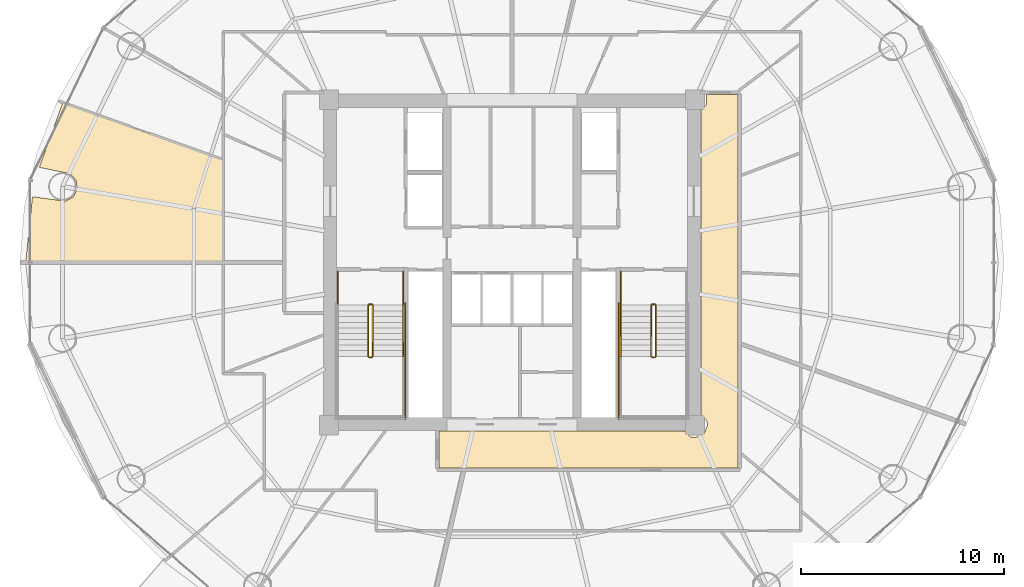
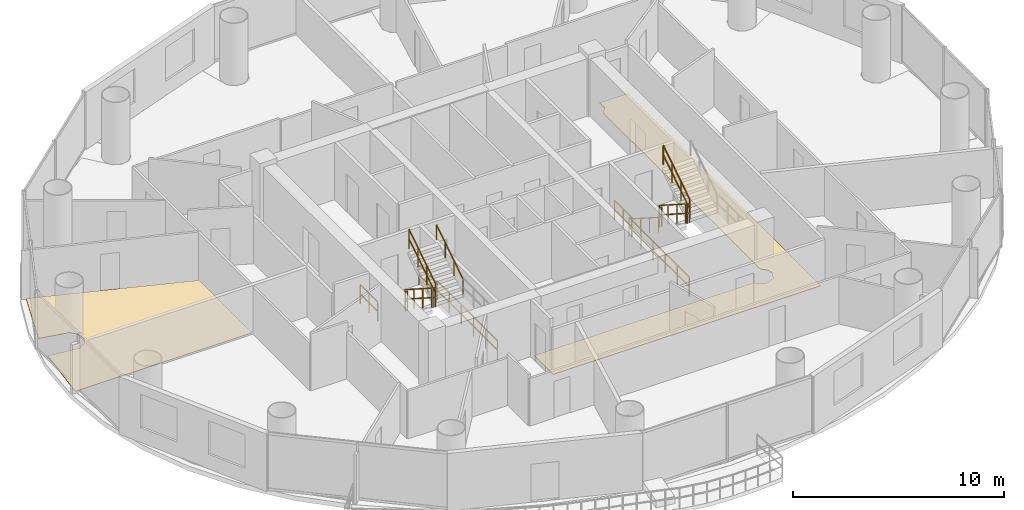
# One storey, part 25 of 26: 15 railings, 2 coverings.
"""IFC4 building model written with IfcOpenShell, lengths in metres."""

from ifc_helpers import new_model, si_unit, direction, frame, origin, origin_2d, place, context, subcontext, project, spatial, polyline, rectangle, outline, extrude, material, layer, layer_set, type_object, element, save


model = new_model("IFC4")

# Units and contexts
model_context = context("Model", 3, precision=1e-05, world=origin(), true_north=direction((-0.2419218956, 0.970295726276)))
body_context = subcontext(model_context, "Body", "Model", "MODEL_VIEW")
ifc_project = project(units=[si_unit("LENGTHUNIT", "METRE"), si_unit("AREAUNIT", "SQUARE_METRE"), si_unit("VOLUMEUNIT", "CUBIC_METRE"), si_unit("PLANEANGLEUNIT", "RADIAN"), si_unit("MASSUNIT", "GRAM", prefix="KILO")], contexts=[model_context])

# Site, building, storey
site_placement = place(None, origin())
site = spatial("IfcSite", under=ifc_project, at=site_placement, CompositionType="ELEMENT")
building_placement = place(site_placement, origin())
building = spatial("IfcBuilding", under=site, at=building_placement, Name="Cobrevalo Terracotta Tower", CompositionType="ELEMENT")
storey_placement = place(building_placement, frame((0.0, 0.0, 178.60009765625)))
storey = spatial("IfcBuildingStorey", under=building, at=storey_placement, Name="L47", CompositionType="ELEMENT", Elevation=178.60009765625)

# Coverings
ifc_material_1 = material(Name="Engineered Brazilian hardwood flooring", Category="wood")
ifc_layer_1 = layer(ifc_material_1, 0.028076171875)
ifc_layer_set_1 = layer_set([ifc_layer_1], Name="Engineered Brazilian hardwood flooring")
covering_type_1 = type_object("IfcCoveringType", Name="Engineered Hardwood Suite Flooring 28", PredefinedType="FLOORING", material=ifc_layer_set_1)
covering_1_placement = place(storey_placement, origin())
element("IfcCovering", 1, at=covering_1_placement, inside=storey, type_object=covering_type_1, Name="Flat L47B Penthouse Family Lounge floor finish", PredefinedType="FLOORING", context=body_context, shape_type="SweptSolid", body=[
    extrude(outline(polyline([(23.77490234375, 31.843017578125), (23.77490234375, 26.820068359375), (14.08154296875, 26.820068359375), (14.41357421875, 30.03369140625), (16.048583984375, 29.814697265625), (16.421630859375, 30.028076171875), (16.613037109375, 30.41259765625), (16.55859375, 30.8388671875), (16.2763671875, 31.1630859375), (14.748291015625, 31.478271484375), (15.898681640625, 34.647216796875), (23.77490234375, 31.843017578125)])), origin(), (0.0, 0.0, 1.0), 0.02978515625),
])
ifc_material_2 = material(Name="Honed terracotta and granite tile", Category="masonry")
ifc_layer_2 = layer(ifc_material_2, 0.034912109375)
ifc_layer_set_2 = layer_set([ifc_layer_2], Name="Honed terracotta and granite tile")
covering_type_2 = type_object("IfcCoveringType", Name="Honed Terracotta & Granite Interior Flooring 35", PredefinedType="FLOORING", material=ifc_layer_set_2)
covering_2_placement = place(storey_placement, origin())
element("IfcCovering", 2, at=covering_2_placement, inside=storey, type_object=covering_type_2, Name="L47 Residential Floor Corridor 1 floor finish", PredefinedType="FLOORING", context=body_context, shape_type="SweptSolid", body=[
    extrude(outline(polyline([(34.419921875, 18.5048828125), (46.46533203125, 18.5048828125), (46.7626953125, 18.226806640625), (47.0, 18.1796875), (47.438720703125, 18.361328125), (47.620361328125, 18.800048828125), (47.5732421875, 19.037353515625), (47.294921875, 19.334716796875), (47.294921875, 34.265380859375), (47.5732421875, 34.5625), (47.5615234375, 35.054931640625), (49.10498046875, 35.054931640625), (49.10498046875, 16.695068359375), (34.419921875, 16.695068359375), (34.419921875, 18.5048828125)])), origin(), (0.0, 0.0, 1.0), 0.02978515625),
])

# Railings
ifc_material_3 = material(Name="Brushed stainless steel", Category="steel")
railing_type_1 = type_object("IfcRailingType", Name="Stainless Steel Stair Handrail 900", PredefinedType="HANDRAIL", material=ifc_material_3)
railing_1_placement = place(storey_placement, frame((32.64501953125, 22.179931640625, 1.97998046875)))
element("IfcRailing", 3, at=railing_1_placement, inside=storey, type_object=railing_type_1, Name="L47 ST-1 stair handrail 2", PredefinedType="HANDRAIL", context=body_context, shape_type="SweptSolid", body=[
    extrude(rectangle(XDim=0.048095703125, YDim=0.048095703125, at=origin_2d()), frame((0.0, 0.0, 0.8759765625), z_axis=(0.0, 0.841199657755, 0.540724639528), x_axis=(-1.0, 0.0, 0.0)), (0.0, 0.0, 1.0), 2.995849609375),
    extrude(rectangle(XDim=0.0419921875, YDim=0.0419921875, at=origin_2d()), origin(), (0.0, 0.0, 1.0), 0.851806640625),
    extrude(rectangle(XDim=0.0419921875, YDim=0.0419921875, at=origin_2d()), frame((0.0, 0.840087890625, 0.5400390625)), (0.0, 0.0, 1.0), 0.851806640625),
    extrude(rectangle(XDim=0.0419921875, YDim=0.0419921875, at=origin_2d()), frame((0.0, 1.679931640625, 1.079833984375)), (0.0, 0.0, 1.0), 0.851806640625),
    extrude(rectangle(XDim=0.0419921875, YDim=0.0419921875, at=origin_2d()), frame((0.0, 2.52001953125, 1.619873046875)), (0.0, 0.0, 1.0), 0.851806640625),
])
railing_2_placement = place(storey_placement, frame((43.35498046875, 24.699951171875, 0.179931640625)))
element("IfcRailing", 4, at=railing_2_placement, inside=storey, type_object=railing_type_1, Name="L47 ST-2 stair handrail 1", PredefinedType="HANDRAIL", context=body_context, shape_type="SweptSolid", body=[
    extrude(rectangle(XDim=0.048095703125, YDim=0.048095703125, at=origin_2d()), frame((0.0, 0.0, 0.8759765625), z_axis=(0.0, -0.841199657755, 0.540724639528), x_axis=(1.0, 0.0, 0.0)), (0.0, 0.0, 1.0), 2.995849609375),
    extrude(rectangle(XDim=0.0419921875, YDim=0.0419921875, at=origin_2d()), origin(), (0.0, 0.0, 1.0), 0.851806640625),
    extrude(rectangle(XDim=0.0419921875, YDim=0.0419921875, at=origin_2d()), frame((0.0, -0.840087890625, 0.5400390625)), (0.0, 0.0, 1.0), 0.851806640625),
    extrude(rectangle(XDim=0.0419921875, YDim=0.0419921875, at=origin_2d()), frame((0.0, -1.679931640625, 1.079833984375)), (0.0, 0.0, 1.0), 0.851806640625),
    extrude(rectangle(XDim=0.0419921875, YDim=0.0419921875, at=origin_2d()), frame((0.0, -2.52001953125, 1.619873046875)), (0.0, 0.0, 1.0), 0.851806640625),
])
ifc_material_4 = material(Name="Painted galvanized steel", Category="steel")
railing_type_2 = type_object("IfcRailingType", Name="Stair Well Guard Balustrade 1150", PredefinedType="GUARDRAIL", material=ifc_material_4)
railing_3_placement = place(storey_placement, frame((30.925048828125, 24.699951171875, 0.179931640625)))
element("IfcRailing", 5, at=railing_3_placement, inside=storey, type_object=railing_type_2, Name="L47 ST-1 stair guard 1", PredefinedType="GUARDRAIL", context=body_context, shape_type="SweptSolid", body=[
    extrude(rectangle(XDim=0.048095703125, YDim=0.048095703125, at=origin_2d()), frame((0.0, 0.0, 1.1259765625), z_axis=(0.0, -0.841199657755, 0.540724639528), x_axis=(1.0, 0.0, 0.0)), (0.0, 0.0, 1.0), 2.995849609375),
    extrude(rectangle(XDim=0.048095703125, YDim=0.048095703125, at=origin_2d()), frame((0.0, 0.0, 0.574951171875), z_axis=(0.0, -0.841199657755, 0.540724639528), x_axis=(1.0, 0.0, 0.0)), (0.0, 0.0, 1.0), 2.995849609375),
    extrude(rectangle(XDim=0.0419921875, YDim=0.0419921875, at=origin_2d()), origin(), (0.0, 0.0, 1.0), 1.101806640625),
    extrude(rectangle(XDim=0.0419921875, YDim=0.0419921875, at=origin_2d()), frame((0.0, -0.840087890625, 0.5400390625)), (0.0, 0.0, 1.0), 1.101806640625),
    extrude(rectangle(XDim=0.0419921875, YDim=0.0419921875, at=origin_2d()), frame((0.0, -1.679931640625, 1.079833984375)), (0.0, 0.0, 1.0), 1.101806640625),
    extrude(rectangle(XDim=0.0419921875, YDim=0.0419921875, at=origin_2d()), frame((0.0, -2.52001953125, 1.619873046875)), (0.0, 0.0, 1.0), 1.101806640625),
])
railing_4_placement = place(storey_placement, frame((30.97509765625, 22.1298828125, 1.7998046875)))
element("IfcRailing", 6, at=railing_4_placement, inside=storey, type_object=railing_type_2, Name="L47 ST-1 stair guard 2", PredefinedType="GUARDRAIL", context=body_context, shape_type="SweptSolid", body=[
    extrude(rectangle(XDim=0.048095703125, YDim=0.048095703125, at=origin_2d()), frame((0.0, 0.0, 1.1259765625), z_axis=(1.0, 0.0, 0.0), x_axis=(0.0, 1.0, 0.0)), (0.0, 0.0, 1.0), 0.119873046875),
    extrude(rectangle(XDim=0.048095703125, YDim=0.048095703125, at=origin_2d()), frame((0.0, 0.0, 0.574951171875), z_axis=(1.0, 0.0, 0.0), x_axis=(0.0, 1.0, 0.0)), (0.0, 0.0, 1.0), 0.119873046875),
    extrude(rectangle(XDim=0.0419921875, YDim=0.0419921875, at=origin_2d()), origin(), (0.0, 0.0, 1.0), 1.101806640625),
    extrude(rectangle(XDim=0.0419921875, YDim=0.0419921875, at=origin_2d()), frame((0.119873046875, 0.0, 0.0)), (0.0, 0.0, 1.0), 1.101806640625),
])
railing_5_placement = place(storey_placement, frame((31.14501953125, 22.179931640625, 1.97998046875)))
element("IfcRailing", 7, at=railing_5_placement, inside=storey, type_object=railing_type_2, Name="L47 ST-1 stair guard 6", PredefinedType="GUARDRAIL", context=body_context, shape_type="SweptSolid", body=[
    extrude(rectangle(XDim=0.048095703125, YDim=0.048095703125, at=origin_2d()), frame((0.0, 0.0, 1.1259765625), z_axis=(0.0, 0.841199657755, 0.540724639528), x_axis=(-1.0, 0.0, 0.0)), (0.0, 0.0, 1.0), 2.995849609375),
    extrude(rectangle(XDim=0.048095703125, YDim=0.048095703125, at=origin_2d()), frame((0.0, 0.0, 0.574951171875), z_axis=(0.0, 0.841199657755, 0.540724639528), x_axis=(-1.0, 0.0, 0.0)), (0.0, 0.0, 1.0), 2.995849609375),
    extrude(rectangle(XDim=0.0419921875, YDim=0.0419921875, at=origin_2d()), origin(), (0.0, 0.0, 1.0), 1.101806640625),
    extrude(rectangle(XDim=0.0419921875, YDim=0.0419921875, at=origin_2d()), frame((0.0, 0.840087890625, 0.5400390625)), (0.0, 0.0, 1.0), 1.101806640625),
    extrude(rectangle(XDim=0.0419921875, YDim=0.0419921875, at=origin_2d()), frame((0.0, 1.679931640625, 1.079833984375)), (0.0, 0.0, 1.0), 1.101806640625),
    extrude(rectangle(XDim=0.0419921875, YDim=0.0419921875, at=origin_2d()), frame((0.0, 2.52001953125, 1.619873046875)), (0.0, 0.0, 1.0), 1.101806640625),
])
railing_6_placement = place(storey_placement, frame((30.97509765625, 24.75, 0.0)))
element("IfcRailing", 8, at=railing_6_placement, inside=storey, type_object=railing_type_2, Name="L47 ST-1 stair guard 7", PredefinedType="GUARDRAIL", context=body_context, shape_type="SweptSolid", body=[
    extrude(rectangle(XDim=0.048095703125, YDim=0.048095703125, at=origin_2d()), frame((0.0, 0.0, 1.1259765625), z_axis=(1.0, 0.0, 0.0), x_axis=(0.0, 1.0, 0.0)), (0.0, 0.0, 1.0), 0.119873046875),
    extrude(rectangle(XDim=0.048095703125, YDim=0.048095703125, at=origin_2d()), frame((0.0, 0.0, 0.574951171875), z_axis=(1.0, 0.0, 0.0), x_axis=(0.0, 1.0, 0.0)), (0.0, 0.0, 1.0), 0.119873046875),
    extrude(rectangle(XDim=0.0419921875, YDim=0.0419921875, at=origin_2d()), origin(), (0.0, 0.0, 1.0), 1.101806640625),
    extrude(rectangle(XDim=0.0419921875, YDim=0.0419921875, at=origin_2d()), frame((0.119873046875, 0.0, 0.0)), (0.0, 0.0, 1.0), 1.101806640625),
])
for number, where, name in (
    (9, (29.425048828125, 26.35009765625, 0.0), "L47 ST-1 stair guard 8"),
    (10, (32.64501953125, 26.35009765625, 0.0), "L47 ST-1 stair guard 9"),
):
    element("IfcRailing", number, at=place(storey_placement, frame(where)), inside=storey, type_object=railing_type_2, Name=name, PredefinedType="GUARDRAIL", context=body_context, shape_type="SweptSolid", body=[
        extrude(rectangle(XDim=0.048095703125, YDim=0.048095703125, at=origin_2d()), frame((0.0, 0.0, 1.1259765625), z_axis=(0.0, -1.0, 0.0), x_axis=(1.0, 0.0, 0.0)), (0.0, 0.0, 1.0), 1.650146484375),
        extrude(rectangle(XDim=0.048095703125, YDim=0.048095703125, at=origin_2d()), frame((0.0, 0.0, 0.574951171875), z_axis=(0.0, -1.0, 0.0), x_axis=(1.0, 0.0, 0.0)), (0.0, 0.0, 1.0), 1.650146484375),
        extrude(rectangle(XDim=0.0419921875, YDim=0.0419921875, at=origin_2d()), origin(), (0.0, 0.0, 1.0), 1.101806640625),
        extrude(rectangle(XDim=0.0419921875, YDim=0.0419921875, at=origin_2d()), frame((0.0, -0.8251953125, 0.0)), (0.0, 0.0, 1.0), 1.101806640625),
        extrude(rectangle(XDim=0.0419921875, YDim=0.0419921875, at=origin_2d()), frame((0.0, -1.650146484375, 0.0)), (0.0, 0.0, 1.0), 1.101806640625),
    ])
railing_7_placement = place(storey_placement, frame((32.7451171875, 24.800048828125, 0.0)))
element("IfcRailing", 11, at=railing_7_placement, inside=storey, type_object=railing_type_2, Name="L47 ST-1 stair guard 11", PredefinedType="GUARDRAIL", context=body_context, shape_type="SweptSolid", body=[
    extrude(rectangle(XDim=0.048095703125, YDim=0.048095703125, at=origin_2d()), frame((0.0, 0.0, 1.1259765625), z_axis=(0.0, -1.0, 0.0), x_axis=(1.0, 0.0, 0.0)), (0.0, 0.0, 1.0), 5.72509765625),
    extrude(rectangle(XDim=0.048095703125, YDim=0.048095703125, at=origin_2d()), frame((0.0, 0.0, 0.574951171875), z_axis=(0.0, -1.0, 0.0), x_axis=(1.0, 0.0, 0.0)), (0.0, 0.0, 1.0), 5.72509765625),
    extrude(rectangle(XDim=0.0419921875, YDim=0.0419921875, at=origin_2d()), origin(), (0.0, 0.0, 1.0), 1.101806640625),
    extrude(rectangle(XDim=0.0419921875, YDim=0.0419921875, at=origin_2d()), frame((0.0, -1.14501953125, 0.0)), (0.0, 0.0, 1.0), 1.101806640625),
    extrude(rectangle(XDim=0.0419921875, YDim=0.0419921875, at=origin_2d()), frame((0.0, -2.2900390625, 0.0)), (0.0, 0.0, 1.0), 1.101806640625),
    extrude(rectangle(XDim=0.0419921875, YDim=0.0419921875, at=origin_2d()), frame((0.0, -3.43505859375, 0.0)), (0.0, 0.0, 1.0), 1.101806640625),
    extrude(rectangle(XDim=0.0419921875, YDim=0.0419921875, at=origin_2d()), frame((0.0, -4.580078125, 0.0)), (0.0, 0.0, 1.0), 1.101806640625),
    extrude(rectangle(XDim=0.0419921875, YDim=0.0419921875, at=origin_2d()), frame((0.0, -5.72509765625, 0.0)), (0.0, 0.0, 1.0), 1.101806640625),
])
railing_8_placement = place(storey_placement, frame((44.85498046875, 24.699951171875, 0.179931640625)))
element("IfcRailing", 12, at=railing_8_placement, inside=storey, type_object=railing_type_2, Name="L47 ST-2 stair guard 1", PredefinedType="GUARDRAIL", context=body_context, shape_type="SweptSolid", body=[
    extrude(rectangle(XDim=0.048095703125, YDim=0.048095703125, at=origin_2d()), frame((0.0, 0.0, 1.1259765625), z_axis=(0.0, -0.841199657755, 0.540724639528), x_axis=(1.0, 0.0, 0.0)), (0.0, 0.0, 1.0), 2.995849609375),
    extrude(rectangle(XDim=0.048095703125, YDim=0.048095703125, at=origin_2d()), frame((0.0, 0.0, 0.574951171875), z_axis=(0.0, -0.841199657755, 0.540724639528), x_axis=(1.0, 0.0, 0.0)), (0.0, 0.0, 1.0), 2.995849609375),
    extrude(rectangle(XDim=0.0419921875, YDim=0.0419921875, at=origin_2d()), origin(), (0.0, 0.0, 1.0), 1.101806640625),
    extrude(rectangle(XDim=0.0419921875, YDim=0.0419921875, at=origin_2d()), frame((0.0, -0.840087890625, 0.5400390625)), (0.0, 0.0, 1.0), 1.101806640625),
    extrude(rectangle(XDim=0.0419921875, YDim=0.0419921875, at=origin_2d()), frame((0.0, -1.679931640625, 1.079833984375)), (0.0, 0.0, 1.0), 1.101806640625),
    extrude(rectangle(XDim=0.0419921875, YDim=0.0419921875, at=origin_2d()), frame((0.0, -2.52001953125, 1.619873046875)), (0.0, 0.0, 1.0), 1.101806640625),
])
railing_9_placement = place(storey_placement, frame((44.905029296875, 22.1298828125, 1.7998046875)))
element("IfcRailing", 13, at=railing_9_placement, inside=storey, type_object=railing_type_2, Name="L47 ST-2 stair guard 2", PredefinedType="GUARDRAIL", context=body_context, shape_type="SweptSolid", body=[
    extrude(rectangle(XDim=0.048095703125, YDim=0.048095703125, at=origin_2d()), frame((0.0, 0.0, 1.1259765625), z_axis=(1.0, 0.0, 0.0), x_axis=(0.0, 1.0, 0.0)), (0.0, 0.0, 1.0), 0.119873046875),
    extrude(rectangle(XDim=0.048095703125, YDim=0.048095703125, at=origin_2d()), frame((0.0, 0.0, 0.574951171875), z_axis=(1.0, 0.0, 0.0), x_axis=(0.0, 1.0, 0.0)), (0.0, 0.0, 1.0), 0.119873046875),
    extrude(rectangle(XDim=0.0419921875, YDim=0.0419921875, at=origin_2d()), origin(), (0.0, 0.0, 1.0), 1.101806640625),
    extrude(rectangle(XDim=0.0419921875, YDim=0.0419921875, at=origin_2d()), frame((0.119873046875, 0.0, 0.0)), (0.0, 0.0, 1.0), 1.101806640625),
])
railing_10_placement = place(storey_placement, frame((45.074951171875, 22.179931640625, 1.97998046875)))
element("IfcRailing", 14, at=railing_10_placement, inside=storey, type_object=railing_type_2, Name="L47 ST-2 stair guard 6", PredefinedType="GUARDRAIL", context=body_context, shape_type="SweptSolid", body=[
    extrude(rectangle(XDim=0.048095703125, YDim=0.048095703125, at=origin_2d()), frame((0.0, 0.0, 1.1259765625), z_axis=(0.0, 0.841199657755, 0.540724639528), x_axis=(-1.0, 0.0, 0.0)), (0.0, 0.0, 1.0), 2.995849609375),
    extrude(rectangle(XDim=0.048095703125, YDim=0.048095703125, at=origin_2d()), frame((0.0, 0.0, 0.574951171875), z_axis=(0.0, 0.841199657755, 0.540724639528), x_axis=(-1.0, 0.0, 0.0)), (0.0, 0.0, 1.0), 2.995849609375),
    extrude(rectangle(XDim=0.0419921875, YDim=0.0419921875, at=origin_2d()), origin(), (0.0, 0.0, 1.0), 1.101806640625),
    extrude(rectangle(XDim=0.0419921875, YDim=0.0419921875, at=origin_2d()), frame((0.0, 0.840087890625, 0.5400390625)), (0.0, 0.0, 1.0), 1.101806640625),
    extrude(rectangle(XDim=0.0419921875, YDim=0.0419921875, at=origin_2d()), frame((0.0, 1.679931640625, 1.079833984375)), (0.0, 0.0, 1.0), 1.101806640625),
    extrude(rectangle(XDim=0.0419921875, YDim=0.0419921875, at=origin_2d()), frame((0.0, 2.52001953125, 1.619873046875)), (0.0, 0.0, 1.0), 1.101806640625),
])
railing_11_placement = place(storey_placement, frame((44.905029296875, 24.75, 0.0)))
element("IfcRailing", 15, at=railing_11_placement, inside=storey, type_object=railing_type_2, Name="L47 ST-2 stair guard 7", PredefinedType="GUARDRAIL", context=body_context, shape_type="SweptSolid", body=[
    extrude(rectangle(XDim=0.048095703125, YDim=0.048095703125, at=origin_2d()), frame((0.0, 0.0, 1.1259765625), z_axis=(1.0, 0.0, 0.0), x_axis=(0.0, 1.0, 0.0)), (0.0, 0.0, 1.0), 0.119873046875),
    extrude(rectangle(XDim=0.048095703125, YDim=0.048095703125, at=origin_2d()), frame((0.0, 0.0, 0.574951171875), z_axis=(1.0, 0.0, 0.0), x_axis=(0.0, 1.0, 0.0)), (0.0, 0.0, 1.0), 0.119873046875),
    extrude(rectangle(XDim=0.0419921875, YDim=0.0419921875, at=origin_2d()), origin(), (0.0, 0.0, 1.0), 1.101806640625),
    extrude(rectangle(XDim=0.0419921875, YDim=0.0419921875, at=origin_2d()), frame((0.119873046875, 0.0, 0.0)), (0.0, 0.0, 1.0), 1.101806640625),
])
railing_12_placement = place(storey_placement, frame((43.35498046875, 26.35009765625, 0.0)))
element("IfcRailing", 16, at=railing_12_placement, inside=storey, type_object=railing_type_2, Name="L47 ST-2 stair guard 8", PredefinedType="GUARDRAIL", context=body_context, shape_type="SweptSolid", body=[
    extrude(rectangle(XDim=0.048095703125, YDim=0.048095703125, at=origin_2d()), frame((0.0, 0.0, 1.1259765625), z_axis=(0.0, -1.0, 0.0), x_axis=(1.0, 0.0, 0.0)), (0.0, 0.0, 1.0), 1.650146484375),
    extrude(rectangle(XDim=0.048095703125, YDim=0.048095703125, at=origin_2d()), frame((0.0, 0.0, 0.574951171875), z_axis=(0.0, -1.0, 0.0), x_axis=(1.0, 0.0, 0.0)), (0.0, 0.0, 1.0), 1.650146484375),
    extrude(rectangle(XDim=0.0419921875, YDim=0.0419921875, at=origin_2d()), origin(), (0.0, 0.0, 1.0), 1.101806640625),
    extrude(rectangle(XDim=0.0419921875, YDim=0.0419921875, at=origin_2d()), frame((0.0, -0.8251953125, 0.0)), (0.0, 0.0, 1.0), 1.101806640625),
    extrude(rectangle(XDim=0.0419921875, YDim=0.0419921875, at=origin_2d()), frame((0.0, -1.650146484375, 0.0)), (0.0, 0.0, 1.0), 1.101806640625),
])
railing_13_placement = place(storey_placement, frame((43.2548828125, 24.800048828125, 0.0)))
element("IfcRailing", 17, at=railing_13_placement, inside=storey, type_object=railing_type_2, Name="L47 ST-2 stair guard 10", PredefinedType="GUARDRAIL", context=body_context, shape_type="SweptSolid", body=[
    extrude(rectangle(XDim=0.048095703125, YDim=0.048095703125, at=origin_2d()), frame((0.0, 0.0, 1.1259765625), z_axis=(0.0, -1.0, 0.0), x_axis=(1.0, 0.0, 0.0)), (0.0, 0.0, 1.0), 5.72509765625),
    extrude(rectangle(XDim=0.048095703125, YDim=0.048095703125, at=origin_2d()), frame((0.0, 0.0, 0.574951171875), z_axis=(0.0, -1.0, 0.0), x_axis=(1.0, 0.0, 0.0)), (0.0, 0.0, 1.0), 5.72509765625),
    extrude(rectangle(XDim=0.0419921875, YDim=0.0419921875, at=origin_2d()), origin(), (0.0, 0.0, 1.0), 1.101806640625),
    extrude(rectangle(XDim=0.0419921875, YDim=0.0419921875, at=origin_2d()), frame((0.0, -1.14501953125, 0.0)), (0.0, 0.0, 1.0), 1.101806640625),
    extrude(rectangle(XDim=0.0419921875, YDim=0.0419921875, at=origin_2d()), frame((0.0, -2.2900390625, 0.0)), (0.0, 0.0, 1.0), 1.101806640625),
    extrude(rectangle(XDim=0.0419921875, YDim=0.0419921875, at=origin_2d()), frame((0.0, -3.43505859375, 0.0)), (0.0, 0.0, 1.0), 1.101806640625),
    extrude(rectangle(XDim=0.0419921875, YDim=0.0419921875, at=origin_2d()), frame((0.0, -4.580078125, 0.0)), (0.0, 0.0, 1.0), 1.101806640625),
    extrude(rectangle(XDim=0.0419921875, YDim=0.0419921875, at=origin_2d()), frame((0.0, -5.72509765625, 0.0)), (0.0, 0.0, 1.0), 1.101806640625),
])

save(model, "model.ifc")
